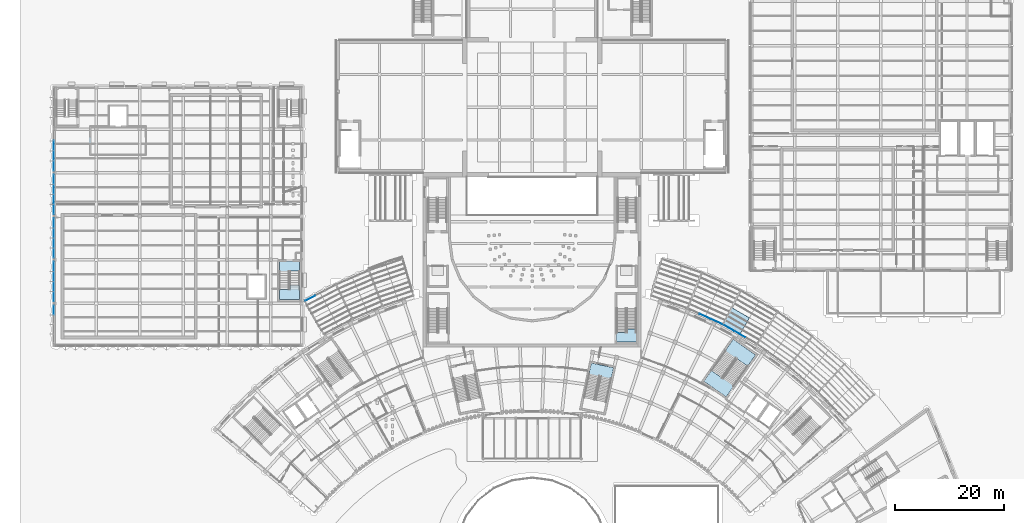
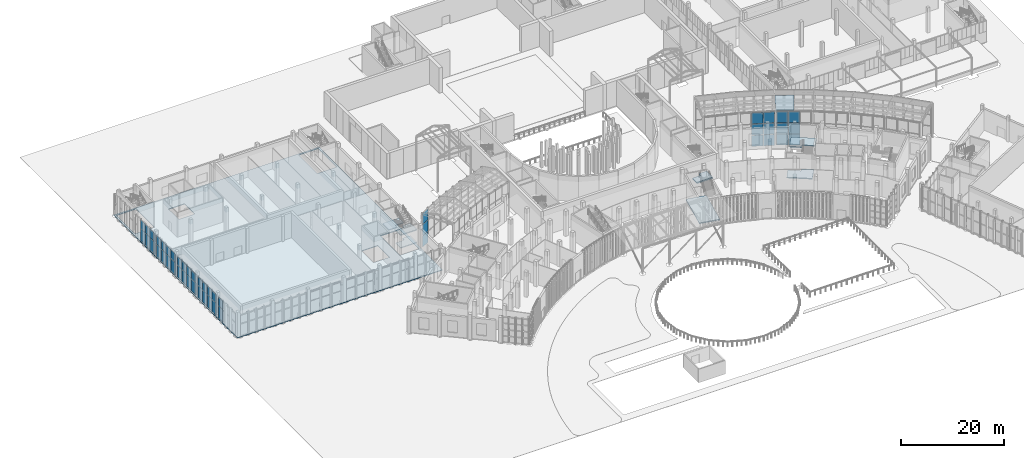
# One storey, part 82 of 155: 48 plates, 8 slabs, 10 elements without a shape of their own.
"""IFC4 building model written with IfcOpenShell, lengths in metres."""

from ifc_helpers import new_model, si_unit, direction, frame, origin, origin_2d, place, context, subcontext, project, spatial, polyline, rectangle, outline, extrude, material, layer, layer_set, type_object, element, aggregate, save


model = new_model("IFC4")

# Units and contexts
model_context = context("Model", 3, precision=1e-05, world=origin(), true_north=direction((0.0, 1.0)))
body_context = subcontext(model_context, "Body", "Model", "MODEL_VIEW")
ifc_project = project(units=[si_unit("LENGTHUNIT", "METRE"), si_unit("AREAUNIT", "SQUARE_METRE"), si_unit("VOLUMEUNIT", "CUBIC_METRE"), si_unit("PLANEANGLEUNIT", "RADIAN"), si_unit("MASSUNIT", "GRAM", prefix="KILO")], contexts=[model_context])

# Site, building, storey
site_placement = place(None, origin())
site = spatial("IfcSite", under=ifc_project, at=site_placement, CompositionType="ELEMENT")
building_placement = place(site_placement, origin())
building = spatial("IfcBuilding", under=site, at=building_placement, Name="Lunette Opera House", CompositionType="ELEMENT")
storey_placement = place(building_placement, origin())
storey = spatial("IfcBuildingStorey", under=building, at=storey_placement, Name="L00", CompositionType="ELEMENT", Elevation=0.0)

# Slabs
ifc_material_1 = material(Name="Concrete C35/45", Category="concrete")
ifc_layer_1 = layer(ifc_material_1, 0.219970703125)
ifc_layer_set_1 = layer_set([ifc_layer_1], Name="Concrete C35/45")
slab_type_1 = type_object("IfcSlabType", Name="CORE LANDING SLAB 220", PredefinedType="LANDING", material=ifc_layer_set_1)
slab_1_placement = place(storey_placement, frame((0.0, 0.0, -0.219970703125)))
element("IfcSlab", 1, at=slab_1_placement, inside=storey, type_object=slab_type_1, Name="ST3 floor landing", PredefinedType="LANDING", context=body_context, shape_type="SweptSolid", body=[
    extrude(outline(polyline([(127.5029296875, 57.718994140625), (128.885986328125, 59.693115234375), (130.85205078125, 58.31689453125), (130.845947265625, 58.30810546875), (131.010009765625, 58.193115234375), (131.412109375, 58.76708984375), (133.3779296875, 57.389892578125), (131.60009765625, 54.85107421875), (127.5029296875, 57.718994140625)])), origin(), (0.0, 0.0, 1.0), 0.219970703125),
])
ifc_material_2 = material(Name="Concrete C35/45", Category="concrete")
ifc_layer_2 = layer(ifc_material_2, 0.300048828125)
ifc_layer_set_2 = layer_set([ifc_layer_2], Name="Concrete C35/45")
slab_type_2 = type_object("IfcSlabType", Name="CORE LANDING SLAB 300", PredefinedType="LANDING", material=ifc_layer_set_2)
slab_2_placement = place(storey_placement, frame((0.0, 0.0, -0.300048828125)))
element("IfcSlab", 2, at=slab_2_placement, inside=storey, type_object=slab_type_2, Name="ST8 floor landing", PredefinedType="LANDING", context=body_context, shape_type="SweptSolid", body=[
    extrude(outline(polyline([(111.5, 64.89990234375), (111.5, 66.6298828125), (113.219970703125, 66.6298828125), (113.219970703125, 66.6201171875), (113.3798828125, 66.6201171875), (113.3798828125, 67.320068359375), (115.10009765625, 67.320068359375), (115.10009765625, 64.89990234375), (111.5, 64.89990234375)])), origin(), (0.0, 0.0, 1.0), 0.300048828125),
])

# Curtain wall, plates
ifc_material_3 = material(Name="Aluminium", Category="aluminium")
ifc_layer_3 = layer(ifc_material_3, 0.139892578125)
ifc_layer_set_3 = layer_set([ifc_layer_3], Name="Aluminium")
curtain_wall_type_1 = type_object("IfcCurtainWallType", Name="PASSAGE CURTAIN WALL", PredefinedType="NOTDEFINED", material=ifc_layer_set_3)
curtain_wall_1_placement = place(storey_placement, origin())
curtain_wall_1 = element("IfcCurtainWall", 3, at=curtain_wall_1_placement, inside=storey, type_object=curtain_wall_type_1, Name="Passage Curtain Wall EI2 L00", PredefinedType="NOTDEFINED")
ifc_material_4 = material(Name="Laminated glass", Category="glass")
ifc_layer_4 = layer(ifc_material_4, 0.028076171875)
ifc_layer_set_4 = layer_set([ifc_layer_4], Name="Laminated glass")
plate_type_1 = type_object("IfcPlateType", Name="CURTAIN PANEL LAMINATED GLASS 28", PredefinedType="CURTAIN_PANEL", material=ifc_layer_set_4)
plate_1_placement = place(storey_placement, frame((127.7744140625, 69.607421875, 0.06005859375), z_axis=(0.0, 0.0, 1.0), x_axis=(0.909696383384, -0.415273993958, 0.0)))
plate_1 = element("IfcPlate", 4, at=plate_1_placement, type_object=plate_type_1, Name="PP-X2002 panel 2.1", PredefinedType="CURTAIN_PANEL", context=body_context, shape_type="SweptSolid", body=[
    extrude(rectangle(XDim=2.226806640625, YDim=0.028076171875, at=origin_2d()), origin(), (0.0, 0.0, 1.0), 2.610107421875),
])
plate_2_placement = place(storey_placement, frame((127.7744140625, 69.607421875, 2.72998046875), z_axis=(0.0, 0.0, 1.0), x_axis=(0.909696383384, -0.415273993958, 0.0)))
plate_2 = element("IfcPlate", 5, at=plate_2_placement, type_object=plate_type_1, Name="PP-X2002 panel 2.2", PredefinedType="CURTAIN_PANEL", context=body_context, shape_type="SweptSolid", body=[
    extrude(rectangle(XDim=2.226806640625, YDim=0.028076171875, at=origin_2d()), origin(), (0.0, 0.0, 1.0), 2.639892578125),
])
plate_3_placement = place(storey_placement, frame((127.7744140625, 69.607421875, 5.43017578125), z_axis=(0.0, 0.0, 1.0), x_axis=(0.909696383384, -0.415273993958, 0.0)))
plate_3 = element("IfcPlate", 6, at=plate_3_placement, type_object=plate_type_1, Name="PP-X2002 panel 2.3", PredefinedType="CURTAIN_PANEL", context=body_context, shape_type="SweptSolid", body=[
    extrude(rectangle(XDim=2.226806640625, YDim=0.028076171875, at=origin_2d()), origin(), (0.0, 0.0, 1.0), 2.610107421875),
])
plate_4_placement = place(storey_placement, frame((129.84130859375, 68.6640625, 0.06005859375), z_axis=(0.0, 0.0, 1.0), x_axis=(0.909696383384, -0.415273993958, 0.0)))
plate_4 = element("IfcPlate", 7, at=plate_4_placement, type_object=plate_type_1, Name="PP-X2002 panel 3.1", PredefinedType="CURTAIN_PANEL", context=body_context, shape_type="SweptSolid", body=[
    extrude(rectangle(XDim=2.19677734375, YDim=0.028076171875, at=origin_2d()), origin(), (0.0, 0.0, 1.0), 2.610107421875),
])
plate_5_placement = place(storey_placement, frame((129.84130859375, 68.6640625, 2.72998046875), z_axis=(0.0, 0.0, 1.0), x_axis=(0.909696383384, -0.415273993958, 0.0)))
plate_5 = element("IfcPlate", 8, at=plate_5_placement, type_object=plate_type_1, Name="PP-X2002 panel 3.2", PredefinedType="CURTAIN_PANEL", context=body_context, shape_type="SweptSolid", body=[
    extrude(rectangle(XDim=2.19677734375, YDim=0.028076171875, at=origin_2d()), origin(), (0.0, 0.0, 1.0), 2.639892578125),
])
plate_6_placement = place(storey_placement, frame((129.84130859375, 68.6640625, 5.43017578125), z_axis=(0.0, 0.0, 1.0), x_axis=(0.909696383384, -0.415273993958, 0.0)))
plate_6 = element("IfcPlate", 9, at=plate_6_placement, type_object=plate_type_1, Name="PP-X2002 panel 3.3", PredefinedType="CURTAIN_PANEL", context=body_context, shape_type="SweptSolid", body=[
    extrude(rectangle(XDim=2.19677734375, YDim=0.028076171875, at=origin_2d()), origin(), (0.0, 0.0, 1.0), 2.610107421875),
])
aggregate(curtain_wall_1, [plate_1, plate_2, plate_3, plate_4, plate_5, plate_6])

curtain_wall_2_placement = place(storey_placement, origin())
curtain_wall_2 = element("IfcCurtainWall", 10, at=curtain_wall_2_placement, inside=storey, type_object=curtain_wall_type_1, Name="Passage Curtain Wall EI3 L00", PredefinedType="NOTDEFINED")
plate_7_placement = place(storey_placement, frame((132.165283203125, 67.46875, 0.06005859375), z_axis=(0.0, 0.0, 1.0), x_axis=(0.866939373287, -0.498413606399, 0.0)))
plate_7 = element("IfcPlate", 11, at=plate_7_placement, type_object=plate_type_1, Name="PP-X2003 panel 1.1", PredefinedType="CURTAIN_PANEL", context=body_context, shape_type="SweptSolid", body=[
    extrude(rectangle(XDim=2.196533203125, YDim=0.028076171875, at=origin_2d()), origin(), (0.0, 0.0, 1.0), 2.610107421875),
])
plate_8_placement = place(storey_placement, frame((132.165283203125, 67.46875, 2.72998046875), z_axis=(0.0, 0.0, 1.0), x_axis=(0.866939373287, -0.498413606399, 0.0)))
plate_8 = element("IfcPlate", 12, at=plate_8_placement, type_object=plate_type_1, Name="PP-X2003 panel 1.2", PredefinedType="CURTAIN_PANEL", context=body_context, shape_type="SweptSolid", body=[
    extrude(rectangle(XDim=2.196533203125, YDim=0.028076171875, at=origin_2d()), origin(), (0.0, 0.0, 1.0), 2.639892578125),
])
plate_9_placement = place(storey_placement, frame((132.165283203125, 67.46875, 5.43017578125), z_axis=(0.0, 0.0, 1.0), x_axis=(0.866939373287, -0.498413606399, 0.0)))
plate_9 = element("IfcPlate", 13, at=plate_9_placement, type_object=plate_type_1, Name="PP-X2003 panel 1.3", PredefinedType="CURTAIN_PANEL", context=body_context, shape_type="SweptSolid", body=[
    extrude(rectangle(XDim=2.196533203125, YDim=0.028076171875, at=origin_2d()), origin(), (0.0, 0.0, 1.0), 2.610107421875),
])
plate_10_placement = place(storey_placement, frame((134.134521484375, 66.33642578125, 0.06005859375), z_axis=(0.0, 0.0, 1.0), x_axis=(0.866939373287, -0.498413606399, 0.0)))
plate_10 = element("IfcPlate", 14, at=plate_10_placement, type_object=plate_type_1, Name="PP-X2003 panel 2.1", PredefinedType="CURTAIN_PANEL", context=body_context, shape_type="SweptSolid", body=[
    extrude(rectangle(XDim=2.2265625, YDim=0.028076171875, at=origin_2d()), origin(), (0.0, 0.0, 1.0), 2.610107421875),
])
plate_11_placement = place(storey_placement, frame((134.134521484375, 66.33642578125, 2.72998046875), z_axis=(0.0, 0.0, 1.0), x_axis=(0.866939373287, -0.498413606399, 0.0)))
plate_11 = element("IfcPlate", 15, at=plate_11_placement, type_object=plate_type_1, Name="PP-X2003 panel 2.2", PredefinedType="CURTAIN_PANEL", context=body_context, shape_type="SweptSolid", body=[
    extrude(rectangle(XDim=2.2265625, YDim=0.028076171875, at=origin_2d()), origin(), (0.0, 0.0, 1.0), 2.639892578125),
])
plate_12_placement = place(storey_placement, frame((134.134521484375, 66.33642578125, 5.43017578125), z_axis=(0.0, 0.0, 1.0), x_axis=(0.866939373287, -0.498413606399, 0.0)))
plate_12 = element("IfcPlate", 16, at=plate_12_placement, type_object=plate_type_1, Name="PP-X2003 panel 2.3", PredefinedType="CURTAIN_PANEL", context=body_context, shape_type="SweptSolid", body=[
    extrude(rectangle(XDim=2.2265625, YDim=0.028076171875, at=origin_2d()), origin(), (0.0, 0.0, 1.0), 2.610107421875),
])
aggregate(curtain_wall_2, [plate_7, plate_8, plate_9, plate_10, plate_11, plate_12])

curtain_wall_3_placement = place(storey_placement, origin())
curtain_wall_3 = element("IfcCurtainWall", 17, at=curtain_wall_3_placement, inside=storey, type_object=curtain_wall_type_1, Name="Passage Curtain Wall WO1 L00", PredefinedType="NOTDEFINED")
plate_13_placement = place(storey_placement, frame((55.27001953125, 72.962890625, 0.06005859375), z_axis=(0.0, 0.0, 1.0), x_axis=(0.885008254005, 0.465575332618, 0.0)))
plate_13 = element("IfcPlate", 18, at=plate_13_placement, type_object=plate_type_1, Name="PP-X2016 panel 1.1", PredefinedType="CURTAIN_PANEL", context=body_context, shape_type="SweptSolid", body=[
    extrude(rectangle(XDim=1.997802734375, YDim=0.028076171875, at=origin_2d()), origin(), (0.0, 0.0, 1.0), 2.610107421875),
])
plate_14_placement = place(storey_placement, frame((55.27001953125, 72.962890625, 2.72998046875), z_axis=(0.0, 0.0, 1.0), x_axis=(0.885008254005, 0.465575332618, 0.0)))
plate_14 = element("IfcPlate", 19, at=plate_14_placement, type_object=plate_type_1, Name="PP-X2016 panel 1.2", PredefinedType="CURTAIN_PANEL", context=body_context, shape_type="SweptSolid", body=[
    extrude(rectangle(XDim=1.997802734375, YDim=0.028076171875, at=origin_2d()), origin(), (0.0, 0.0, 1.0), 2.639892578125),
])
plate_15_placement = place(storey_placement, frame((55.27001953125, 72.962890625, 5.43017578125), z_axis=(0.0, 0.0, 1.0), x_axis=(0.885008254005, 0.465575332618, 0.0)))
plate_15 = element("IfcPlate", 20, at=plate_15_placement, type_object=plate_type_1, Name="PP-X2016 panel 1.3", PredefinedType="CURTAIN_PANEL", context=body_context, shape_type="SweptSolid", body=[
    extrude(rectangle(XDim=1.997802734375, YDim=0.028076171875, at=origin_2d()), origin(), (0.0, 0.0, 1.0), 2.610107421875),
])
aggregate(curtain_wall_3, [plate_13, plate_14, plate_15])

ifc_material_5 = material(Name="Aluminium", Category="aluminium")
ifc_layer_5 = layer(ifc_material_5, 0.179931640625)
ifc_layer_set_5 = layer_set([ifc_layer_5], Name="Aluminium")
curtain_wall_type_2 = type_object("IfcCurtainWallType", Name="SUN FACE CURTAIN WALL", PredefinedType="NOTDEFINED", material=ifc_layer_set_5)
curtain_wall_4_placement = place(storey_placement, origin())
curtain_wall_4 = element("IfcCurtainWall", 21, at=curtain_wall_4_placement, inside=storey, type_object=curtain_wall_type_2, Name="Sun Face Curtain Wall F08 L00", PredefinedType="NOTDEFINED")
plate_16_placement = place(storey_placement, frame((8.181884765625, 100.933837890625, 0.06005859375), z_axis=(0.0, 0.0, 1.0), x_axis=(0.0, -1.0, 0.0)))
plate_16 = element("IfcPlate", 22, at=plate_16_placement, type_object=plate_type_1, Name="RW-X2002 panel 2.1", PredefinedType="CURTAIN_PANEL", context=body_context, shape_type="SweptSolid", body=[
    extrude(rectangle(XDim=1.781494140625, YDim=0.028076171875, at=origin_2d()), origin(), (0.0, 0.0, 1.0), 2.8349609375),
])
plate_17_placement = place(storey_placement, frame((8.181884765625, 100.933837890625, 2.955078125), z_axis=(0.0, 0.0, 1.0), x_axis=(0.0, -1.0, 0.0)))
plate_17 = element("IfcPlate", 23, at=plate_17_placement, type_object=plate_type_1, Name="RW-X2002 panel 2.2", PredefinedType="CURTAIN_PANEL", context=body_context, shape_type="SweptSolid", body=[
    extrude(rectangle(XDim=1.781494140625, YDim=0.028076171875, at=origin_2d()), origin(), (0.0, 0.0, 1.0), 2.034912109375),
])
plate_18_placement = place(storey_placement, frame((8.181884765625, 99.09228515625, 0.06005859375), z_axis=(0.0, 0.0, 1.0), x_axis=(0.0, -1.0, 0.0)))
plate_18 = element("IfcPlate", 24, at=plate_18_placement, type_object=plate_type_1, Name="RW-X2002 panel 3.1", PredefinedType="CURTAIN_PANEL", context=body_context, shape_type="SweptSolid", body=[
    extrude(rectangle(XDim=1.781494140625, YDim=0.028076171875, at=origin_2d()), origin(), (0.0, 0.0, 1.0), 2.8349609375),
])
plate_19_placement = place(storey_placement, frame((8.181884765625, 99.09228515625, 2.955078125), z_axis=(0.0, 0.0, 1.0), x_axis=(0.0, -1.0, 0.0)))
plate_19 = element("IfcPlate", 25, at=plate_19_placement, type_object=plate_type_1, Name="RW-X2002 panel 3.2", PredefinedType="CURTAIN_PANEL", context=body_context, shape_type="SweptSolid", body=[
    extrude(rectangle(XDim=1.781494140625, YDim=0.028076171875, at=origin_2d()), origin(), (0.0, 0.0, 1.0), 2.034912109375),
])
plate_20_placement = place(storey_placement, frame((8.181884765625, 97.265869140625, 0.06005859375), z_axis=(0.0, 0.0, 1.0), x_axis=(0.0, -1.0, 0.0)))
plate_20 = element("IfcPlate", 26, at=plate_20_placement, type_object=plate_type_1, Name="RW-X2002 panel 4.1", PredefinedType="CURTAIN_PANEL", context=body_context, shape_type="SweptSolid", body=[
    extrude(rectangle(XDim=1.75146484375, YDim=0.028076171875, at=origin_2d()), origin(), (0.0, 0.0, 1.0), 2.8349609375),
])
plate_21_placement = place(storey_placement, frame((8.181884765625, 97.265869140625, 2.955078125), z_axis=(0.0, 0.0, 1.0), x_axis=(0.0, -1.0, 0.0)))
plate_21 = element("IfcPlate", 27, at=plate_21_placement, type_object=plate_type_1, Name="RW-X2002 panel 4.2", PredefinedType="CURTAIN_PANEL", context=body_context, shape_type="SweptSolid", body=[
    extrude(rectangle(XDim=1.75146484375, YDim=0.028076171875, at=origin_2d()), origin(), (0.0, 0.0, 1.0), 2.034912109375),
])
aggregate(curtain_wall_4, [plate_16, plate_17, plate_18, plate_19, plate_20, plate_21])

curtain_wall_5_placement = place(storey_placement, origin())
curtain_wall_5 = element("IfcCurtainWall", 28, at=curtain_wall_5_placement, inside=storey, type_object=curtain_wall_type_2, Name="Sun Face Curtain Wall F09 L00", PredefinedType="NOTDEFINED")
plate_22_placement = place(storey_placement, frame((8.181884765625, 94.737548828125, 0.06005859375), z_axis=(0.0, 0.0, 1.0), x_axis=(0.0, -1.0, 0.0)))
plate_22 = element("IfcPlate", 29, at=plate_22_placement, type_object=plate_type_1, Name="RW-X2003 panel 1.1", PredefinedType="CURTAIN_PANEL", context=body_context, shape_type="SweptSolid", body=[
    extrude(rectangle(XDim=1.7451171875, YDim=0.028076171875, at=origin_2d()), origin(), (0.0, 0.0, 1.0), 2.8349609375),
])
plate_23_placement = place(storey_placement, frame((8.181884765625, 94.737548828125, 2.955078125), z_axis=(0.0, 0.0, 1.0), x_axis=(0.0, -1.0, 0.0)))
plate_23 = element("IfcPlate", 30, at=plate_23_placement, type_object=plate_type_1, Name="RW-X2003 panel 1.2", PredefinedType="CURTAIN_PANEL", context=body_context, shape_type="SweptSolid", body=[
    extrude(rectangle(XDim=1.7451171875, YDim=0.028076171875, at=origin_2d()), origin(), (0.0, 0.0, 1.0), 2.034912109375),
])
plate_24_placement = place(storey_placement, frame((8.181884765625, 92.91748046875, 0.06005859375), z_axis=(0.0, 0.0, 1.0), x_axis=(0.0, -1.0, 0.0)))
plate_24 = element("IfcPlate", 31, at=plate_24_placement, type_object=plate_type_1, Name="RW-X2003 panel 2.1", PredefinedType="CURTAIN_PANEL", context=body_context, shape_type="SweptSolid", body=[
    extrude(rectangle(XDim=1.77490234375, YDim=0.028076171875, at=origin_2d()), origin(), (0.0, 0.0, 1.0), 2.8349609375),
])
plate_25_placement = place(storey_placement, frame((8.181884765625, 92.91748046875, 2.955078125), z_axis=(0.0, 0.0, 1.0), x_axis=(0.0, -1.0, 0.0)))
plate_25 = element("IfcPlate", 32, at=plate_25_placement, type_object=plate_type_1, Name="RW-X2003 panel 2.2", PredefinedType="CURTAIN_PANEL", context=body_context, shape_type="SweptSolid", body=[
    extrude(rectangle(XDim=1.77490234375, YDim=0.028076171875, at=origin_2d()), origin(), (0.0, 0.0, 1.0), 2.034912109375),
])
plate_26_placement = place(storey_placement, frame((8.181884765625, 91.08251953125, 0.06005859375), z_axis=(0.0, 0.0, 1.0), x_axis=(0.0, -1.0, 0.0)))
plate_26 = element("IfcPlate", 33, at=plate_26_placement, type_object=plate_type_1, Name="RW-X2003 panel 3.1", PredefinedType="CURTAIN_PANEL", context=body_context, shape_type="SweptSolid", body=[
    extrude(rectangle(XDim=1.77490234375, YDim=0.028076171875, at=origin_2d()), origin(), (0.0, 0.0, 1.0), 2.8349609375),
])
plate_27_placement = place(storey_placement, frame((8.181884765625, 91.08251953125, 2.955078125), z_axis=(0.0, 0.0, 1.0), x_axis=(0.0, -1.0, 0.0)))
plate_27 = element("IfcPlate", 34, at=plate_27_placement, type_object=plate_type_1, Name="RW-X2003 panel 3.2", PredefinedType="CURTAIN_PANEL", context=body_context, shape_type="SweptSolid", body=[
    extrude(rectangle(XDim=1.77490234375, YDim=0.028076171875, at=origin_2d()), origin(), (0.0, 0.0, 1.0), 2.034912109375),
])
plate_28_placement = place(storey_placement, frame((8.181884765625, 89.262451171875, 0.06005859375), z_axis=(0.0, 0.0, 1.0), x_axis=(0.0, -1.0, 0.0)))
plate_28 = element("IfcPlate", 35, at=plate_28_placement, type_object=plate_type_1, Name="RW-X2003 panel 4.1", PredefinedType="CURTAIN_PANEL", context=body_context, shape_type="SweptSolid", body=[
    extrude(rectangle(XDim=1.7451171875, YDim=0.028076171875, at=origin_2d()), origin(), (0.0, 0.0, 1.0), 2.8349609375),
])
plate_29_placement = place(storey_placement, frame((8.181884765625, 89.262451171875, 2.955078125), z_axis=(0.0, 0.0, 1.0), x_axis=(0.0, -1.0, 0.0)))
plate_29 = element("IfcPlate", 36, at=plate_29_placement, type_object=plate_type_1, Name="RW-X2003 panel 4.2", PredefinedType="CURTAIN_PANEL", context=body_context, shape_type="SweptSolid", body=[
    extrude(rectangle(XDim=1.7451171875, YDim=0.028076171875, at=origin_2d()), origin(), (0.0, 0.0, 1.0), 2.034912109375),
])
aggregate(curtain_wall_5, [plate_22, plate_23, plate_24, plate_25, plate_26, plate_27, plate_28, plate_29])

curtain_wall_6_placement = place(storey_placement, origin())
curtain_wall_6 = element("IfcCurtainWall", 37, at=curtain_wall_6_placement, inside=storey, type_object=curtain_wall_type_2, Name="Sun Face Curtain Wall F10 L00", PredefinedType="NOTDEFINED")
plate_30_placement = place(storey_placement, frame((8.181884765625, 86.737548828125, 0.06005859375), z_axis=(0.0, 0.0, 1.0), x_axis=(0.0, -1.0, 0.0)))
plate_30 = element("IfcPlate", 38, at=plate_30_placement, type_object=plate_type_1, Name="RW-X2004 panel 1.1", PredefinedType="CURTAIN_PANEL", context=body_context, shape_type="SweptSolid", body=[
    extrude(rectangle(XDim=1.7451171875, YDim=0.028076171875, at=origin_2d()), origin(), (0.0, 0.0, 1.0), 2.8349609375),
])
plate_31_placement = place(storey_placement, frame((8.181884765625, 86.737548828125, 2.955078125), z_axis=(0.0, 0.0, 1.0), x_axis=(0.0, -1.0, 0.0)))
plate_31 = element("IfcPlate", 39, at=plate_31_placement, type_object=plate_type_1, Name="RW-X2004 panel 1.2", PredefinedType="CURTAIN_PANEL", context=body_context, shape_type="SweptSolid", body=[
    extrude(rectangle(XDim=1.7451171875, YDim=0.028076171875, at=origin_2d()), origin(), (0.0, 0.0, 1.0), 2.034912109375),
])
plate_32_placement = place(storey_placement, frame((8.181884765625, 84.91748046875, 0.06005859375), z_axis=(0.0, 0.0, 1.0), x_axis=(0.0, -1.0, 0.0)))
plate_32 = element("IfcPlate", 40, at=plate_32_placement, type_object=plate_type_1, Name="RW-X2004 panel 2.1", PredefinedType="CURTAIN_PANEL", context=body_context, shape_type="SweptSolid", body=[
    extrude(rectangle(XDim=1.77490234375, YDim=0.028076171875, at=origin_2d()), origin(), (0.0, 0.0, 1.0), 2.8349609375),
])
plate_33_placement = place(storey_placement, frame((8.181884765625, 84.91748046875, 2.955078125), z_axis=(0.0, 0.0, 1.0), x_axis=(0.0, -1.0, 0.0)))
plate_33 = element("IfcPlate", 41, at=plate_33_placement, type_object=plate_type_1, Name="RW-X2004 panel 2.2", PredefinedType="CURTAIN_PANEL", context=body_context, shape_type="SweptSolid", body=[
    extrude(rectangle(XDim=1.77490234375, YDim=0.028076171875, at=origin_2d()), origin(), (0.0, 0.0, 1.0), 2.034912109375),
])
plate_34_placement = place(storey_placement, frame((8.181884765625, 83.08251953125, 0.06005859375), z_axis=(0.0, 0.0, 1.0), x_axis=(0.0, -1.0, 0.0)))
plate_34 = element("IfcPlate", 42, at=plate_34_placement, type_object=plate_type_1, Name="RW-X2004 panel 3.1", PredefinedType="CURTAIN_PANEL", context=body_context, shape_type="SweptSolid", body=[
    extrude(rectangle(XDim=1.77490234375, YDim=0.028076171875, at=origin_2d()), origin(), (0.0, 0.0, 1.0), 2.8349609375),
])
plate_35_placement = place(storey_placement, frame((8.181884765625, 83.08251953125, 2.955078125), z_axis=(0.0, 0.0, 1.0), x_axis=(0.0, -1.0, 0.0)))
plate_35 = element("IfcPlate", 43, at=plate_35_placement, type_object=plate_type_1, Name="RW-X2004 panel 3.2", PredefinedType="CURTAIN_PANEL", context=body_context, shape_type="SweptSolid", body=[
    extrude(rectangle(XDim=1.77490234375, YDim=0.028076171875, at=origin_2d()), origin(), (0.0, 0.0, 1.0), 2.034912109375),
])
plate_36_placement = place(storey_placement, frame((8.181884765625, 81.262451171875, 0.06005859375), z_axis=(0.0, 0.0, 1.0), x_axis=(0.0, -1.0, 0.0)))
plate_36 = element("IfcPlate", 44, at=plate_36_placement, type_object=plate_type_1, Name="RW-X2004 panel 4.1", PredefinedType="CURTAIN_PANEL", context=body_context, shape_type="SweptSolid", body=[
    extrude(rectangle(XDim=1.7451171875, YDim=0.028076171875, at=origin_2d()), origin(), (0.0, 0.0, 1.0), 2.8349609375),
])
plate_37_placement = place(storey_placement, frame((8.181884765625, 81.262451171875, 2.955078125), z_axis=(0.0, 0.0, 1.0), x_axis=(0.0, -1.0, 0.0)))
plate_37 = element("IfcPlate", 45, at=plate_37_placement, type_object=plate_type_1, Name="RW-X2004 panel 4.2", PredefinedType="CURTAIN_PANEL", context=body_context, shape_type="SweptSolid", body=[
    extrude(rectangle(XDim=1.7451171875, YDim=0.028076171875, at=origin_2d()), origin(), (0.0, 0.0, 1.0), 2.034912109375),
])
aggregate(curtain_wall_6, [plate_30, plate_31, plate_32, plate_33, plate_34, plate_35, plate_36, plate_37])

curtain_wall_7_placement = place(storey_placement, origin())
curtain_wall_7 = element("IfcCurtainWall", 46, at=curtain_wall_7_placement, inside=storey, type_object=curtain_wall_type_2, Name="Sun Face Curtain Wall F11 L00", PredefinedType="NOTDEFINED")
plate_38_placement = place(storey_placement, frame((8.181884765625, 78.737548828125, 0.06005859375), z_axis=(0.0, 0.0, 1.0), x_axis=(0.0, -1.0, 0.0)))
plate_38 = element("IfcPlate", 47, at=plate_38_placement, type_object=plate_type_1, Name="RW-X2005 panel 1.1", PredefinedType="CURTAIN_PANEL", context=body_context, shape_type="SweptSolid", body=[
    extrude(rectangle(XDim=1.7451171875, YDim=0.028076171875, at=origin_2d()), origin(), (0.0, 0.0, 1.0), 2.8349609375),
])
plate_39_placement = place(storey_placement, frame((8.181884765625, 78.737548828125, 2.955078125), z_axis=(0.0, 0.0, 1.0), x_axis=(0.0, -1.0, 0.0)))
plate_39 = element("IfcPlate", 48, at=plate_39_placement, type_object=plate_type_1, Name="RW-X2005 panel 1.2", PredefinedType="CURTAIN_PANEL", context=body_context, shape_type="SweptSolid", body=[
    extrude(rectangle(XDim=1.7451171875, YDim=0.028076171875, at=origin_2d()), origin(), (0.0, 0.0, 1.0), 2.034912109375),
])
plate_40_placement = place(storey_placement, frame((8.181884765625, 76.91748046875, 0.06005859375), z_axis=(0.0, 0.0, 1.0), x_axis=(0.0, -1.0, 0.0)))
plate_40 = element("IfcPlate", 49, at=plate_40_placement, type_object=plate_type_1, Name="RW-X2005 panel 2.1", PredefinedType="CURTAIN_PANEL", context=body_context, shape_type="SweptSolid", body=[
    extrude(rectangle(XDim=1.77490234375, YDim=0.028076171875, at=origin_2d()), origin(), (0.0, 0.0, 1.0), 2.8349609375),
])
plate_41_placement = place(storey_placement, frame((8.181884765625, 76.91748046875, 2.955078125), z_axis=(0.0, 0.0, 1.0), x_axis=(0.0, -1.0, 0.0)))
plate_41 = element("IfcPlate", 50, at=plate_41_placement, type_object=plate_type_1, Name="RW-X2005 panel 2.2", PredefinedType="CURTAIN_PANEL", context=body_context, shape_type="SweptSolid", body=[
    extrude(rectangle(XDim=1.77490234375, YDim=0.028076171875, at=origin_2d()), origin(), (0.0, 0.0, 1.0), 2.034912109375),
])
plate_42_placement = place(storey_placement, frame((8.181884765625, 75.08251953125, 0.06005859375), z_axis=(0.0, 0.0, 1.0), x_axis=(0.0, -1.0, 0.0)))
plate_42 = element("IfcPlate", 51, at=plate_42_placement, type_object=plate_type_1, Name="RW-X2005 panel 3.1", PredefinedType="CURTAIN_PANEL", context=body_context, shape_type="SweptSolid", body=[
    extrude(rectangle(XDim=1.77490234375, YDim=0.028076171875, at=origin_2d()), origin(), (0.0, 0.0, 1.0), 2.8349609375),
])
plate_43_placement = place(storey_placement, frame((8.181884765625, 75.08251953125, 2.955078125), z_axis=(0.0, 0.0, 1.0), x_axis=(0.0, -1.0, 0.0)))
plate_43 = element("IfcPlate", 52, at=plate_43_placement, type_object=plate_type_1, Name="RW-X2005 panel 3.2", PredefinedType="CURTAIN_PANEL", context=body_context, shape_type="SweptSolid", body=[
    extrude(rectangle(XDim=1.77490234375, YDim=0.028076171875, at=origin_2d()), origin(), (0.0, 0.0, 1.0), 2.034912109375),
])
plate_44_placement = place(storey_placement, frame((8.181884765625, 73.262451171875, 0.06005859375), z_axis=(0.0, 0.0, 1.0), x_axis=(0.0, -1.0, 0.0)))
plate_44 = element("IfcPlate", 53, at=plate_44_placement, type_object=plate_type_1, Name="RW-X2005 panel 4.1", PredefinedType="CURTAIN_PANEL", context=body_context, shape_type="SweptSolid", body=[
    extrude(rectangle(XDim=1.7451171875, YDim=0.028076171875, at=origin_2d()), origin(), (0.0, 0.0, 1.0), 2.8349609375),
])
plate_45_placement = place(storey_placement, frame((8.181884765625, 73.262451171875, 2.955078125), z_axis=(0.0, 0.0, 1.0), x_axis=(0.0, -1.0, 0.0)))
plate_45 = element("IfcPlate", 54, at=plate_45_placement, type_object=plate_type_1, Name="RW-X2005 panel 4.2", PredefinedType="CURTAIN_PANEL", context=body_context, shape_type="SweptSolid", body=[
    extrude(rectangle(XDim=1.7451171875, YDim=0.028076171875, at=origin_2d()), origin(), (0.0, 0.0, 1.0), 2.034912109375),
])
aggregate(curtain_wall_7, [plate_38, plate_39, plate_40, plate_41, plate_42, plate_43, plate_44, plate_45])

curtain_wall_8_placement = place(storey_placement, origin())
curtain_wall_8 = element("IfcCurtainWall", 55, at=curtain_wall_8_placement, inside=storey, type_object=curtain_wall_type_2, Name="Sun Face Curtain Wall F12 L00", PredefinedType="NOTDEFINED")
plate_46_placement = place(storey_placement, frame((8.181884765625, 70.77490234375, 0.06005859375), z_axis=(0.0, 0.0, 1.0), x_axis=(0.0, -1.0, 0.0)))
plate_46 = element("IfcPlate", 56, at=plate_46_placement, type_object=plate_type_1, Name="RW-X2006 panel 1.1", PredefinedType="CURTAIN_PANEL", context=body_context, shape_type="SweptSolid", body=[
    extrude(rectangle(XDim=1.669921875, YDim=0.028076171875, at=origin_2d()), origin(), (0.0, 0.0, 1.0), 2.8349609375),
])
plate_47_placement = place(storey_placement, frame((8.181884765625, 70.77490234375, 2.955078125), z_axis=(0.0, 0.0, 1.0), x_axis=(0.0, -1.0, 0.0)))
plate_47 = element("IfcPlate", 57, at=plate_47_placement, type_object=plate_type_1, Name="RW-X2006 panel 1.2", PredefinedType="CURTAIN_PANEL", context=body_context, shape_type="SweptSolid", body=[
    extrude(rectangle(XDim=1.669921875, YDim=0.028076171875, at=origin_2d()), origin(), (0.0, 0.0, 1.0), 2.034912109375),
])
aggregate(curtain_wall_8, [plate_46, plate_47])

# Slabs
ifc_material_6 = material(Name="Concrete C35/45", Category="concrete")
ifc_layer_6 = layer(ifc_material_6, 0.14990234375)
ifc_layer_set_6 = layer_set([ifc_layer_6], Name="Concrete C35/45")
slab_type_3 = type_object("IfcSlabType", Name="FLOOR SLAB 150", PredefinedType="FLOOR", material=ifc_layer_set_6)
slab_3_placement = place(storey_placement, frame((0.0, 0.0, -0.14990234375)))
element("IfcSlab", 58, at=slab_3_placement, inside=storey, type_object=slab_type_3, Name="slab-RW-L00-F1", PredefinedType="FLOOR", context=body_context, shape_type="SweptSolid", body=[
    extrude(outline(polyline([(8.0, 64.0), (54.0, 64.0), (54.0, 112.0), (8.0, 112.0), (8.0, 64.0)]), holes=[polyline([(43.60009765625, 72.800048828125), (43.60009765625, 77.39990234375), (47.199951171875, 77.39990234375), (47.199951171875, 72.800048828125), (43.60009765625, 72.800048828125)]), polyline([(49.300048828125, 72.39990234375), (49.300048828125, 80.0), (53.60009765625, 80.0), (53.60009765625, 72.39990234375), (49.300048828125, 72.39990234375)]), polyline([(18.199951171875, 104.39990234375), (18.199951171875, 108.39990234375), (21.800048828125, 108.39990234375), (21.800048828125, 104.39990234375), (18.199951171875, 104.39990234375)]), polyline([(8.39990234375, 111.635009765625), (12.800048828125, 111.635009765625), (12.800048828125, 104.39990234375), (8.39990234375, 104.39990234375), (8.39990234375, 111.635009765625)]), polyline([(49.199951171875, 111.635009765625), (53.635009765625, 111.635009765625), (53.635009765625, 104.39990234375), (49.199951171875, 104.39990234375), (49.199951171875, 111.635009765625)])]), origin(), (0.0, 0.0, 1.0), 0.14990234375),
])
ifc_material_7 = material(Name="Concrete C35/45", Category="concrete")
ifc_layer_7 = layer(ifc_material_7, 0.219970703125)
ifc_layer_set_7 = layer_set([ifc_layer_7], Name="Concrete C35/45")
slab_type_4 = type_object("IfcSlabType", Name="FLOOR SLAB 220", PredefinedType="FLOOR", material=ifc_layer_set_7)
slab_4_placement = place(storey_placement, frame((0.0, 0.0, -0.219970703125)))
element("IfcSlab", 59, at=slab_4_placement, inside=storey, type_object=slab_type_4, Name="slab-FC-L00-F3", PredefinedType="FLOOR", context=body_context, shape_type="SweptSolid", body=[
    extrude(outline(polyline([(106.8359375, 61.08203125), (105.069091796875, 52.76708984375), (109.177001953125, 51.89404296875), (110.944091796875, 60.208984375), (106.8359375, 61.08203125)])), origin(), (0.0, 0.0, 1.0), 0.219970703125),
])

# Plate
ifc_material_8 = material(Name="Laminated glass", Category="glass")
ifc_layer_8 = layer(ifc_material_8, 0.02001953125)
ifc_layer_set_8 = layer_set([ifc_layer_8], Name="Laminated glass")
plate_type_2 = type_object("IfcPlateType", Name="PASSAGE ROOF GLASS 20", PredefinedType="SHEET", material=ifc_layer_set_8)
plate_48_placement = place(storey_placement, frame((131.031005859375, 68.12109375, 8.339111328125), z_axis=(-0.149582389266, -0.260185915006, 0.953901671271), x_axis=(0.866977846237, -0.498346680144, 2.288571e-05)))
element("IfcPlate", 60, at=plate_48_placement, inside=storey, type_object=plate_type_2, Name="Passage roof glass E3A00", PredefinedType="SHEET", context=body_context, shape_type="SweptSolid", body=[
    extrude(outline(polyline([(0.0, 0.0), (3.5802426453977567, 0.0), (3.5797690723707087, 3.661194019013096), (-0.16357399611621085, 3.661752481780688), (0.0, 0.0)])), origin(), (0.0, 0.0, -1.0), 0.02001953125),
])

# Stair, slabs
ifc_material_9 = material(Name="Concrete C35/45", Category="concrete")
stair_type_1 = type_object("IfcStairType", Name="DOGLEG STAIR 1770", PredefinedType="HALF_TURN_STAIR", material=ifc_material_9)
stair_1_placement = place(storey_placement, origin())
stair_1 = element("IfcStair", 61, at=stair_1_placement, inside=storey, type_object=stair_type_1, Name="L00 stair ST16", PredefinedType="HALF_TURN_STAIR")
ifc_material_10 = material(Name="Concrete C35/45", Category="concrete")
ifc_layer_9 = layer(ifc_material_10, 0.199951171875)
ifc_layer_set_9 = layer_set([ifc_layer_9], Name="Concrete C35/45")
slab_type_5 = type_object("IfcSlabType", Name="STAIR LANDING SLAB 200", PredefinedType="LANDING", material=ifc_layer_set_9)
slab_5_placement = place(storey_placement, frame((0.0, 0.0, 1.300048828125)))
slab_5 = element("IfcSlab", 62, at=slab_5_placement, type_object=slab_type_5, Name="ST16 landing 1", PredefinedType="LANDING", context=body_context, shape_type="SweptSolid", body=[
    extrude(outline(polyline([(49.60009765625, 72.699951171875), (49.60009765625, 74.580078125), (51.3701171875, 74.580078125), (51.3701171875, 74.570068359375), (51.530029296875, 74.570068359375), (51.530029296875, 75.27001953125), (53.300048828125, 75.27001953125), (53.300048828125, 72.699951171875), (49.60009765625, 72.699951171875)])), origin(), (0.0, 0.0, 1.0), 0.199951171875),
])
slab_6_placement = place(storey_placement, frame((0.0, 0.0, 2.800048828125)))
slab_6 = element("IfcSlab", 63, at=slab_6_placement, type_object=slab_type_5, Name="ST16 landing 2", PredefinedType="LANDING", context=body_context, shape_type="SweptSolid", body=[
    extrude(outline(polyline([(53.300048828125, 77.919921875), (51.530029296875, 77.919921875), (51.530029296875, 77.929931640625), (51.3701171875, 77.929931640625), (51.3701171875, 77.22998046875), (49.60009765625, 77.22998046875), (49.60009765625, 79.699951171875), (53.300048828125, 79.699951171875), (53.300048828125, 77.919921875)])), origin(), (0.0, 0.0, 1.0), 0.199951171875),
])
slab_7_placement = place(storey_placement, frame((0.0, 0.0, 4.300048828125)))
slab_7 = element("IfcSlab", 64, at=slab_7_placement, type_object=slab_type_5, Name="ST16 landing 3", PredefinedType="LANDING", context=body_context, shape_type="SweptSolid", body=[
    extrude(outline(polyline([(49.60009765625, 72.699951171875), (49.60009765625, 74.580078125), (51.3701171875, 74.580078125), (51.3701171875, 74.570068359375), (51.530029296875, 74.570068359375), (51.530029296875, 75.27001953125), (53.300048828125, 75.27001953125), (53.300048828125, 72.699951171875), (49.60009765625, 72.699951171875)])), origin(), (0.0, 0.0, 1.0), 0.199951171875),
])
aggregate(stair_1, [slab_5, slab_6, slab_7])

# Stair, slab
ifc_material_11 = material(Name="Concrete C35/45", Category="concrete")
stair_type_2 = type_object("IfcStairType", Name="DOGLEG STAIR 2400", PredefinedType="HALF_TURN_STAIR", material=ifc_material_11)
stair_2_placement = place(storey_placement, origin())
stair_2 = element("IfcStair", 65, at=stair_2_placement, inside=storey, type_object=stair_type_2, Name="L00 stair ST3", PredefinedType="HALF_TURN_STAIR")
slab_8_placement = place(storey_placement, frame((0.0, 0.0, 2.800048828125)))
slab_8 = element("IfcSlab", 66, at=slab_8_placement, type_object=slab_type_5, Name="ST3 landing 1", PredefinedType="LANDING", context=body_context, shape_type="SweptSolid", body=[
    extrude(outline(polyline([(136.990966796875, 62.551025390625), (135.5400390625, 60.47802734375), (133.573974609375, 61.85498046875), (133.580078125, 61.863037109375), (133.4150390625, 61.97802734375), (133.013916015625, 61.405029296875), (131.048095703125, 62.781005859375), (132.89501953125, 65.4189453125), (136.990966796875, 62.551025390625)])), origin(), (0.0, 0.0, 1.0), 0.199951171875),
])
aggregate(stair_2, [slab_8])

save(model, "model.ifc")
